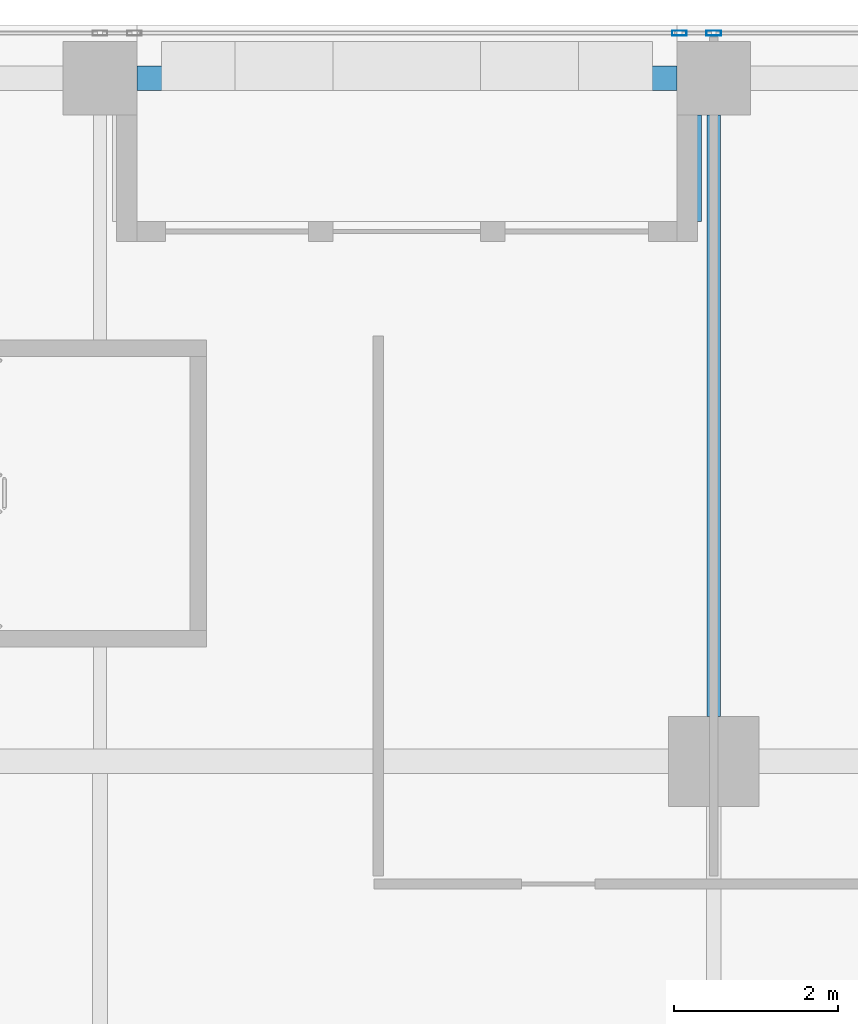
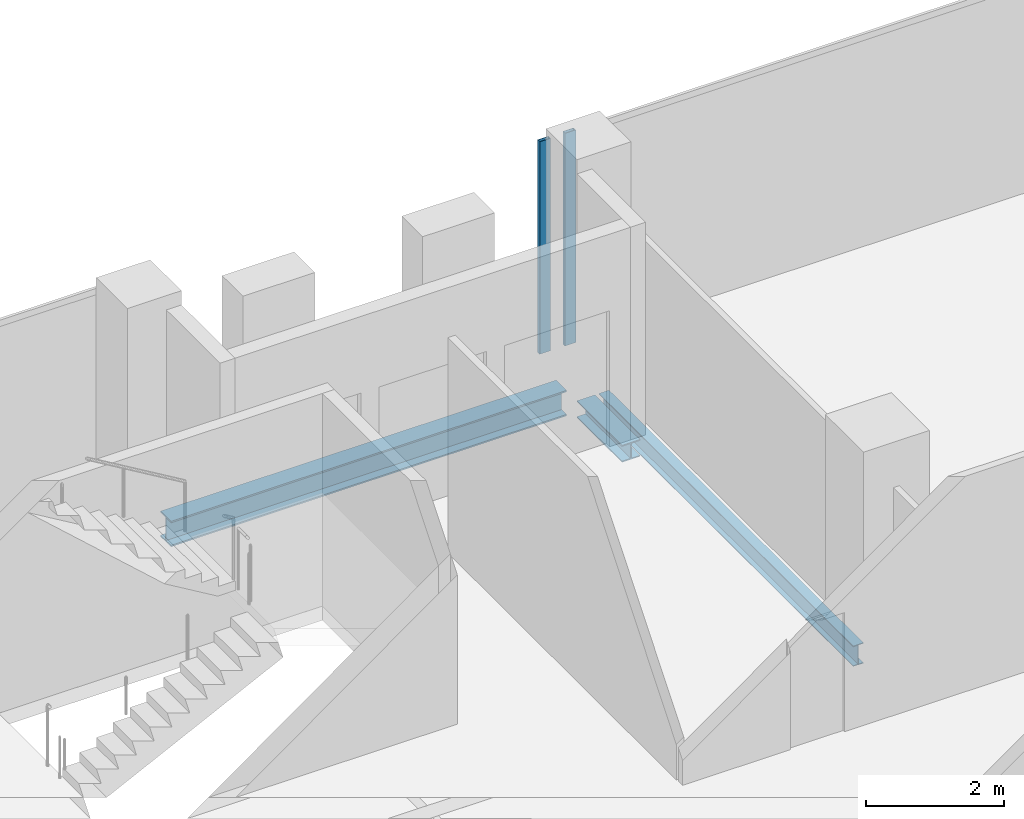
# One storey, part 20 of 35: 3 beams, 2 members, 1 element without a shape of its own.
"""IFC4 building model written with IfcOpenShell, lengths in metres."""

from ifc_helpers import new_model, si_unit, direction, frame, origin, origin_2d, place, context, subcontext, project, spatial, hollow_rectangle, i_section, extrude, source, transform, mapped, material, material_profile, profile_set, type_object, element, aggregate, save


model = new_model("IFC4")

# Units and contexts
model_context = context("Model", 3, precision=1e-05, world=origin(), true_north=direction((0.0, 1.0)))
body_context = subcontext(model_context, "Body", "Model", "MODEL_VIEW")
ifc_project = project(units=[si_unit("LENGTHUNIT", "METRE"), si_unit("AREAUNIT", "SQUARE_METRE"), si_unit("VOLUMEUNIT", "CUBIC_METRE"), si_unit("PLANEANGLEUNIT", "RADIAN"), si_unit("MASSUNIT", "GRAM", prefix="KILO")], contexts=[model_context])

# Site, building, storey
site_placement = place(None, origin())
site = spatial("IfcSite", under=ifc_project, at=site_placement, CompositionType="ELEMENT")
building_placement = place(site_placement, origin())
building = spatial("IfcBuilding", under=site, at=building_placement, Name="Khomas Fold Tower", CompositionType="ELEMENT")
storey_placement = place(building_placement, frame((0.0, 0.0, 270.199951171875)))
storey = spatial("IfcBuildingStorey", under=building, at=storey_placement, Name="L61", CompositionType="ELEMENT", Elevation=270.199951171875)

# Beams
ifc_material_1 = material(Name="Steel S355", Category="steel")
ifc_material_profile_1 = material_profile(ifc_material_1, i_section(OverallWidth=0.300048828125, OverallDepth=0.449951171875, WebThickness=0.013916015625, FlangeThickness=0.02587890625, at=origin_2d()), Name="HE 450 B")
ifc_profile_set_1 = profile_set([ifc_material_profile_1], Name="Steel S355")
beam_type_1 = type_object("IfcBeamType", Name="HE 450 B spandrel SB4", PredefinedType="SPANDREL", material=ifc_profile_set_1)
shared_shape_1 = source(origin(), body_context, "Body", "SweptSolid", [
    extrude(i_section(OverallWidth=0.300048828125, OverallDepth=0.449951171875, WebThickness=0.013916015625, FlangeThickness=0.02587890625, at=origin_2d()), origin(), (0.0, 0.0, 1.0), 6.60009765625),
])
beam_1_placement = place(storey_placement, frame((27.449951171875, 48.85009765625, -0.474853515625), z_axis=(1.0, 0.0, 0.0), x_axis=(0.0, 1.0, 0.0)))
element("IfcBeam", 1, at=beam_1_placement, inside=storey, type_object=beam_type_1, Name="SB4", PredefinedType="SPANDREL", context=body_context, shape_type="MappedRepresentation", body=[
    mapped(shared_shape_1, transform((0.0, 0.0, 0.0))),
])
ifc_material_2 = material(Name="Steel S355", Category="steel")
ifc_material_profile_2 = material_profile(ifc_material_2, i_section(OverallWidth=0.169921875, OverallDepth=0.360107421875, WebThickness=0.008056640625, FlangeThickness=0.0126953125, at=origin_2d()), Name="IPE 360")
ifc_profile_set_2 = profile_set([ifc_material_profile_2], Name="Steel S355")
beam_type_2 = type_object("IfcBeamType", Name="IPE 360 beam JB2", PredefinedType="BEAM", material=ifc_profile_set_2)
shared_shape_2 = source(origin(), body_context, "Body", "SweptSolid", [
    extrude(i_section(OverallWidth=0.169921875, OverallDepth=0.360107421875, WebThickness=0.008056640625, FlangeThickness=0.0126953125, at=origin_2d()), origin(), (0.0, 0.0, 1.0), 7.349853515625),
])
beam_2_placement = place(storey_placement, frame((34.5, 41.050048828125, -0.429931640625), z_axis=(0.0, 1.0, 0.0), x_axis=(-1.0, 0.0, 0.0)))
element("IfcBeam", 2, at=beam_2_placement, inside=storey, type_object=beam_type_2, Name="JB2", PredefinedType="BEAM", context=body_context, shape_type="MappedRepresentation", body=[
    mapped(shared_shape_2, transform((0.0, 0.0, 0.0))),
])
ifc_material_3 = material(Name="Steel S355", Category="steel")
ifc_material_profile_3 = material_profile(ifc_material_3, i_section(OverallWidth=0.300048828125, OverallDepth=0.300048828125, WebThickness=0.010986328125, FlangeThickness=0.01904296875, at=origin_2d()), Name="HE 300 B")
ifc_profile_set_3 = profile_set([ifc_material_profile_3], Name="Steel S355")
beam_type_3 = type_object("IfcBeamType", Name="HE 300 B beam BB1", PredefinedType="BEAM", material=ifc_profile_set_3)
shared_shape_3 = source(origin(), body_context, "Body", "SweptSolid", [
    extrude(i_section(OverallWidth=0.300048828125, OverallDepth=0.300048828125, WebThickness=0.010986328125, FlangeThickness=0.01904296875, at=origin_2d()), origin(), (0.0, 0.0, 1.0), 1.2998046875),
])
beam_3_placement = place(storey_placement, frame((34.199951171875, 47.10009765625, -0.39990234375), z_axis=(0.0, 1.0, 0.0), x_axis=(-1.0, 0.0, 0.0)))
element("IfcBeam", 3, at=beam_3_placement, inside=storey, type_object=beam_type_3, Name="BB1", PredefinedType="BEAM", context=body_context, shape_type="MappedRepresentation", body=[
    mapped(shared_shape_3, transform((0.0, 0.0, 0.0))),
])

# Curtain wall, members
ifc_material_4 = material(Name="Aluminium framed double glazing", Category="aluminium")
curtain_wall_type = type_object("IfcCurtainWallType", Name="SK-Unitised clear-glass wall, office floors CW2", PredefinedType="NOTDEFINED", material=ifc_material_4)
curtain_wall_placement = place(storey_placement, origin())
curtain_wall = element("IfcCurtainWall", 4, at=curtain_wall_placement, inside=storey, type_object=curtain_wall_type, Name="CW2 run L61 06-0", PredefinedType="NOTDEFINED")
ifc_material_5 = material(Name="Aluminium", Category="aluminium")
ifc_material_profile_4 = material_profile(ifc_material_5, hollow_rectangle(XDim=0.06005859375, YDim=0.179931640625, WallThickness=0.00390625, at=origin_2d()), Name="SK-Unitised clear-glass wall, office floors mullion CW2-M")
ifc_profile_set_4 = profile_set([ifc_material_profile_4], Name="Aluminium")
member_type = type_object("IfcMemberType", Name="SK-Unitised clear-glass wall, office floors mullion CW2-M", PredefinedType="MULLION", material=ifc_profile_set_4)
shared_shape_4 = source(origin(), body_context, "Body", "SweptSolid", [
    extrude(hollow_rectangle(XDim=0.06005859375, YDim=0.179931640625, WallThickness=0.00390625, at=origin_2d()), origin(), (0.0, 0.0, 1.0), 3.75),
])
member_1_placement = place(storey_placement, frame((34.5, 49.39990234375, 0.0), z_axis=(0.0, 0.0, 1.0), x_axis=(0.0, -1.0, 0.0)))
member_1 = element("IfcMember", 5, at=member_1_placement, type_object=member_type, Name="CW2 mullion 3", PredefinedType="MULLION", context=body_context, shape_type="MappedRepresentation", body=[
    mapped(shared_shape_4, transform((0.0, 0.0, 0.0))),
])
member_2_placement = place(storey_placement, frame((34.080078125, 49.39990234375, 0.0), z_axis=(0.0, 0.0, 1.0), x_axis=(0.0, -1.0, 0.0)))
member_2 = element("IfcMember", 6, at=member_2_placement, type_object=member_type, Name="CW2 mullion 4", PredefinedType="MULLION", context=body_context, shape_type="MappedRepresentation", body=[
    mapped(shared_shape_4, transform((0.0, 0.0, 0.0))),
])
aggregate(curtain_wall, [member_1, member_2])

save(model, "model.ifc")
